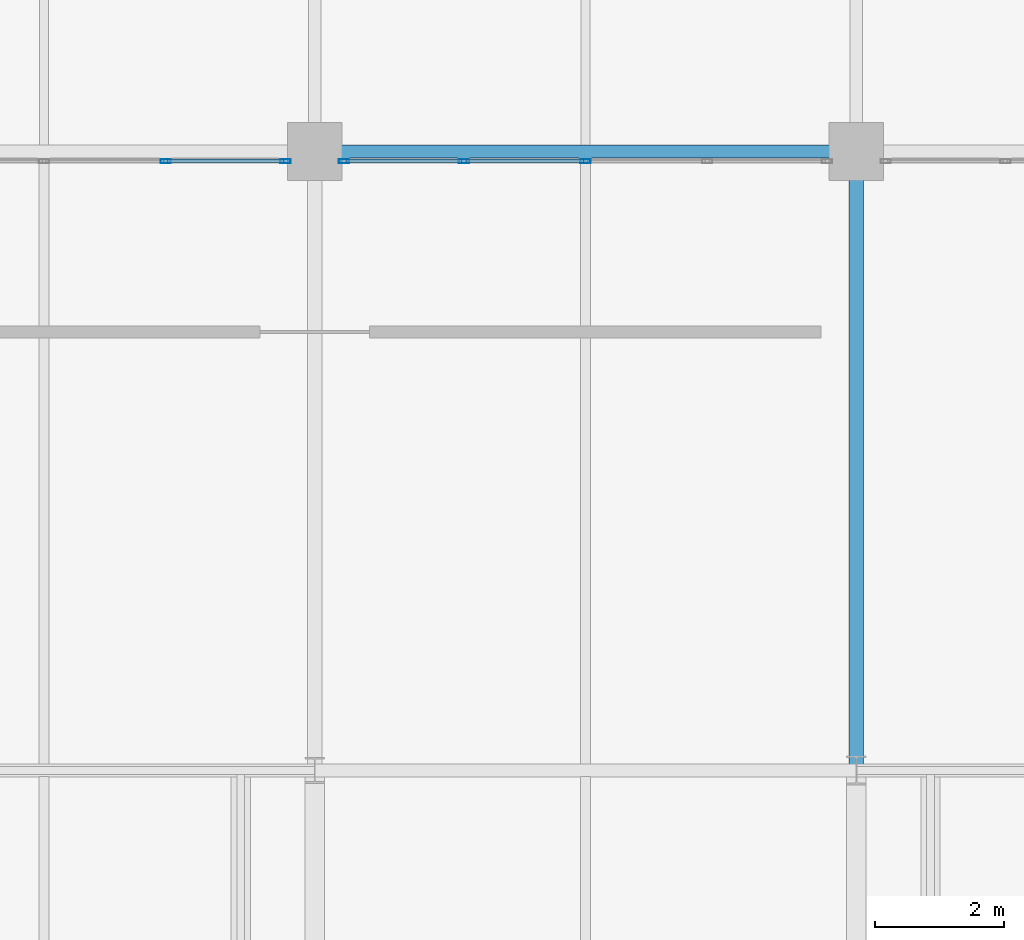
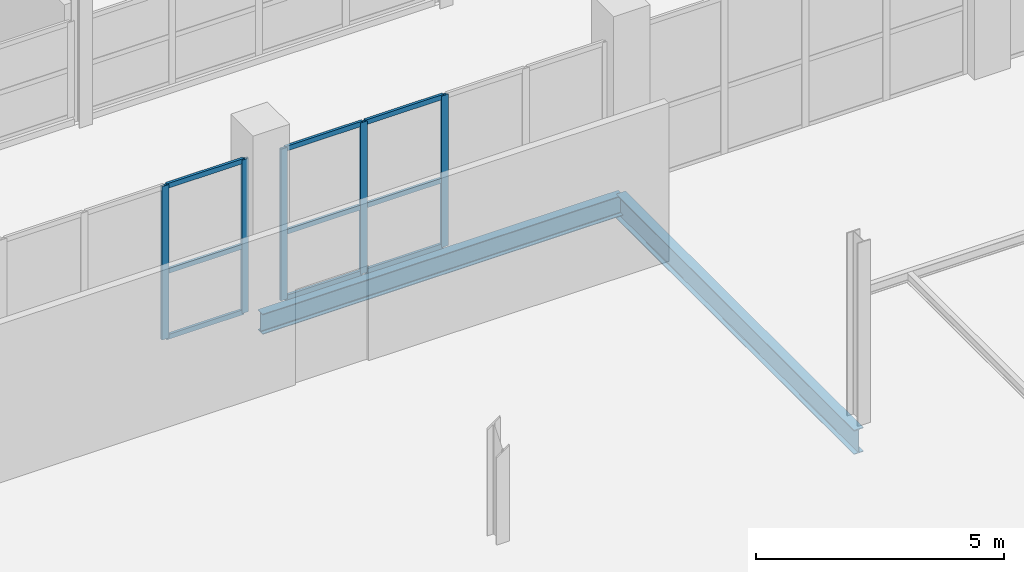
# One storey, part 36 of 103: 14 members, 2 beams, 2 elements without a shape of their own.
"""IFC4 building model written with IfcOpenShell, lengths in metres."""

import ifcopenshell
import ifcopenshell.guid

model = None  # the IFC model being written
_history = None  # IfcOwnerHistory: only IFC2X3 demands one
_inside = {}  # id of a spatial element -> (the spatial element, [elements in it])
_under = {}  # id of a project, library or spatial element -> (it, [spatial elements below it])
_declared = {}  # id of a project -> (the project, [libraries it declares])
_typed = {}  # id of a type object -> (the type object, [elements of that type])
_made_of = {}  # id of a material, layer set ... -> (it, [elements and type objects made of it])


def new_model(schema):
    """Start an empty IFC model of exactly this schema.

    Asked for "IFC4X3", IfcOpenShell would pick the latest addendum, in which some entities
    have other attributes; the version numbers below select the first issue.
    IFC2X3 requires an IfcOwnerHistory on every rooted entity: one is made here for all.
    """
    global model, _history
    if schema == "IFC4X3":
        model = ifcopenshell.file(schema_version=(4, 3, 0, 0))
    else:
        model = ifcopenshell.file(schema=schema)
    _inside.clear()
    _under.clear()
    _declared.clear()
    _typed.clear()
    _made_of.clear()
    _history = None
    if model.schema == "IFC2X3":
        org = make("IfcOrganization", Name="unknown")
        user = make(
            "IfcPersonAndOrganization",
            ThePerson=make("IfcPerson", FamilyName="unknown"),
            TheOrganization=org,
        )
        app = make(
            "IfcApplication",
            ApplicationDeveloper=org,
            Version="unknown",
            ApplicationFullName="unknown",
            ApplicationIdentifier="unknown",
        )
        _history = make(
            "IfcOwnerHistory",
            OwningUser=user,
            OwningApplication=app,
            ChangeAction="ADDED",
            CreationDate=0,
        )
    return model


def make(cls, **values):
    """One entity of the class cls with the attributes given. An attribute that is None is left unset."""
    return model.create_entity(
        cls, **{name: value for name, value in values.items() if value is not None}
    )


def rooted(cls, **values):
    """An entity with a GlobalId (a new one), such as an element, a storey or a relation."""
    return make(cls, GlobalId=ifcopenshell.guid.new(), OwnerHistory=_history, **values)


def si_unit(unit_type, name, prefix=None):
    """IfcSIUnit, for example si_unit("LENGTHUNIT", "METRE", prefix="MILLI")."""
    return make("IfcSIUnit", UnitType=unit_type, Prefix=prefix, Name=name)


def assignment(units):
    """IfcUnitAssignment: the units of a project."""
    return None if units is None else make("IfcUnitAssignment", Units=units)


def point(xyz):
    """IfcCartesianPoint."""
    return None if xyz is None else make("IfcCartesianPoint", Coordinates=xyz)


def direction(xyz):
    """IfcDirection."""
    return None if xyz is None else make("IfcDirection", DirectionRatios=xyz)


def frame(location, z_axis=None, x_axis=None):
    """IfcAxis2Placement3D, a coordinate frame: its origin and axes. An axis left out is left unset."""
    return make(
        "IfcAxis2Placement3D",
        Location=point(location),
        Axis=direction(z_axis),
        RefDirection=direction(x_axis),
    )


def frame_2d(location, x_axis=None):
    """IfcAxis2Placement2D, a coordinate frame in the plane: its origin and x axis."""
    return make(
        "IfcAxis2Placement2D", Location=point(location), RefDirection=direction(x_axis)
    )


def origin():
    """The frame at (0, 0, 0) with its axes left unset."""
    return frame((0.0, 0.0, 0.0))


def origin_2d():
    """The frame at (0, 0) in the plane with its x axis left unset."""
    return frame_2d((0.0, 0.0))


def place(relative_to, where):
    """IfcLocalPlacement: puts the frame where relative to a parent placement (None: the world)."""
    return make(
        "IfcLocalPlacement", PlacementRelTo=relative_to, RelativePlacement=where
    )


def context(
    kind, dimensions, precision=None, world=None, true_north=None, identifier=None
):
    """IfcGeometricRepresentationContext, for example the 3D "Model" context."""
    return make(
        "IfcGeometricRepresentationContext",
        ContextIdentifier=identifier,
        ContextType=kind,
        CoordinateSpaceDimension=dimensions,
        Precision=precision,
        WorldCoordinateSystem=world,
        TrueNorth=true_north,
    )


def subcontext(parent, identifier, kind, view, scale=None):
    """IfcGeometricRepresentationSubContext, for example "Body" below "Model"."""
    return make(
        "IfcGeometricRepresentationSubContext",
        ContextIdentifier=identifier,
        ContextType=kind,
        ParentContext=parent,
        TargetScale=scale,
        TargetView=view,
    )


def project(units=None, contexts=None):
    """IfcProject with its units and contexts."""
    return rooted(
        "IfcProject",
        Name="project",
        RepresentationContexts=contexts,
        UnitsInContext=assignment(units),
    )


def spatial(cls, under=None, at=None, **own):
    """A site, building, storey or space (cls), placed at a placement, below another one or the project."""
    s = rooted(cls, ObjectPlacement=at, **own)
    if under is not None:
        _under.setdefault(under.id(), (under, []))[1].append(s)
    return s


def profile(cls, at=None, kind="AREA", **sizes):
    """A parametric profile (cls). Its sizes go by their IFC names, for example OverallWidth=200.0."""
    return make(cls, ProfileType=kind, Position=at, **sizes)


def hollow_rectangle(**sizes):
    """IfcRectangleHollowProfileDef."""
    return profile("IfcRectangleHollowProfileDef", **sizes)


def i_section(**sizes):
    """IfcIShapeProfileDef."""
    return profile("IfcIShapeProfileDef", **sizes)


def extrude(swept, where, along, depth):
    """IfcExtrudedAreaSolid: the profile swept, set in the frame where, extruded along a direction by depth."""
    return make(
        "IfcExtrudedAreaSolid",
        SweptArea=swept,
        Position=where,
        ExtrudedDirection=direction(along),
        Depth=depth,
    )


def shape(context_of_items, identifier, shape_type, items):
    """IfcShapeRepresentation: the items that make up one representation, for example the "Body"."""
    return make(
        "IfcShapeRepresentation",
        ContextOfItems=context_of_items,
        RepresentationIdentifier=identifier,
        RepresentationType=shape_type,
        Items=items,
    )


def material(Name=None, Category=None):
    """IfcMaterial."""
    return make("IfcMaterial", Name=Name, Category=Category)


def material_profile(
    of_material, cross_section, Name=None, Category=None, Priority=None
):
    """IfcMaterialProfile: a cross section and its material."""
    return make(
        "IfcMaterialProfile",
        Name=Name,
        Material=of_material,
        Profile=cross_section,
        Priority=Priority,
        Category=Category,
    )


def profile_set(profiles, Name=None, composite=None):
    """IfcMaterialProfileSet."""
    return make(
        "IfcMaterialProfileSet",
        Name=Name,
        MaterialProfiles=profiles,
        CompositeProfile=composite,
    )


def made_of(thing, what):
    """Note that an element or type object is made of a material, layer set ...; save() writes the relation."""
    if what is not None:
        _made_of.setdefault(what.id(), (what, []))[1].append(thing)
    return thing


def type_object(cls, material=None, **own):
    """A type object (cls), such as IfcWallType, which elements share."""
    return made_of(rooted(cls, **own), material)


def element(
    cls,
    number,
    at=None,
    inside=None,
    cuts=None,
    type_object=None,
    material=None,
    context=None,
    identifier="Body",
    shape_type=None,
    held_by="IfcProductDefinitionShape",
    body=None,
    shapes=None,
    **own,
):
    """One element of the class cls, such as IfcWall. Its Tag is "e" and its number.

    at: its placement. inside: the storey or other place that contains it. cuts: it is an
    opening in that element (IfcRelVoidsElement). A single representation is given by context,
    identifier, shape_type and body (its items); several are given by shapes. held_by: the class
    of the entity that holds the representations. save() writes the other relations.
    """
    e = rooted(cls, Tag="e%d" % number, ObjectPlacement=at, **own)
    if body is not None:
        shapes = [shape(context, identifier, shape_type, body)]
    if shapes is not None:
        e.Representation = make(held_by, Representations=shapes)
    if inside is not None:
        _inside.setdefault(inside.id(), (inside, []))[1].append(e)
    if cuts is not None:
        rooted(
            "IfcRelVoidsElement", RelatingBuildingElement=cuts, RelatedOpeningElement=e
        )
    if type_object is not None:
        _typed.setdefault(type_object.id(), (type_object, []))[1].append(e)
    return made_of(e, material)


def aggregate(whole, parts):
    """IfcRelAggregates: a whole, such as a stair, and the parts it consists of."""
    return rooted("IfcRelAggregates", RelatingObject=whole, RelatedObjects=parts)


def save(model, path):
    """Write the relations noted so far, then the file.

    IfcRelAggregates (storeys below a building ...), IfcRelContainedInSpatialStructure (elements
    in a storey), IfcRelDefinesByType, IfcRelAssociatesMaterial and IfcRelDeclares: one each for
    every whole, place, type object, material and project.
    """
    for whole, parts in _under.values():
        aggregate(whole, parts)
    for where, things in _inside.values():
        rooted(
            "IfcRelContainedInSpatialStructure",
            RelatedElements=things,
            RelatingStructure=where,
        )
    for kind, things in _typed.values():
        rooted("IfcRelDefinesByType", RelatedObjects=things, RelatingType=kind)
    for what, things in _made_of.values():
        rooted("IfcRelAssociatesMaterial", RelatedObjects=things, RelatingMaterial=what)
    for by, libraries in _declared.values():
        rooted("IfcRelDeclares", RelatingContext=by, RelatedDefinitions=libraries)
    model.write(path)


model = new_model("IFC4")

# Units and contexts
model_context = context("Model", 3, precision=1e-05, world=origin(), true_north=direction((0.0, 1.0)))
body_context = subcontext(model_context, "Body", "Model", "MODEL_VIEW")
ifc_project = project(units=[si_unit("LENGTHUNIT", "METRE"), si_unit("AREAUNIT", "SQUARE_METRE"), si_unit("VOLUMEUNIT", "CUBIC_METRE"), si_unit("PLANEANGLEUNIT", "RADIAN"), si_unit("MASSUNIT", "GRAM", prefix="KILO")], contexts=[model_context])

# Site, building, storey
site_placement = place(None, origin())
site = spatial("IfcSite", under=ifc_project, at=site_placement, CompositionType="ELEMENT")
building_placement = place(site_placement, origin())
building = spatial("IfcBuilding", under=site, at=building_placement, Name="Veltarok Museum of Natural Sciences", CompositionType="ELEMENT")
storey_placement = place(building_placement, frame((0.0, 0.0, 21.89990234375)))
storey = spatial("IfcBuildingStorey", under=building, at=storey_placement, Name="L04", CompositionType="ELEMENT", Elevation=21.89990234375)

# Curtain wall, members
ifc_material_1 = material(Name="Low-iron triple insulated glass", Category="glass")
curtain_wall_type_1 = type_object("IfcCurtainWallType", Name="Curtain Wall System CW-V1CN4-L04-2-755x378 (CW-V1CN4 L04 755x378cm)", PredefinedType="NOTDEFINED", material=ifc_material_1)
curtain_wall_1_placement = place(storey_placement, origin())
curtain_wall_1 = element("IfcCurtainWall", 1, at=curtain_wall_1_placement, inside=storey, type_object=curtain_wall_type_1, Name="Curtain Wall CW-V1CN4-L04-2-755x378 CW-0166", PredefinedType="NOTDEFINED")
ifc_material_2 = material(Name="Thermally broken anodised aluminium", Category="aluminium")
ifc_material_profile_1 = material_profile(ifc_material_2, hollow_rectangle(XDim=0.06005859375, YDim=0.1201171875, WallThickness=0.0048828125, at=origin_2d()), Name="CW TRANSOM 60x120x5")
ifc_profile_set_1 = profile_set([ifc_material_profile_1], Name="Thermally broken anodised aluminium")
member_type_1 = type_object("IfcMemberType", Name="Curtain Wall Horizontal Transom 60x120x5", PredefinedType="USERDEFINED", material=ifc_profile_set_1)
member_1_placement = place(storey_placement, frame((73.114990234375, 19.050048828125, 0.028076171875), z_axis=(-1.0, 0.0, 0.0), x_axis=(0.0, -1.0, 0.0)))
member_1 = element("IfcMember", 2, at=member_1_placement, type_object=member_type_1, Name="CW-V1CN4-L04-2-755x378 transom 1.1", ObjectType="TRANSOM", PredefinedType="USERDEFINED", context=body_context, shape_type="SweptSolid", body=[
    extrude(hollow_rectangle(XDim=0.06005859375, YDim=0.1201171875, WallThickness=0.0048828125, at=origin_2d()), origin(), (0.0, 0.0, 1.0), 1.797607421875),
])
member_2_placement = place(storey_placement, frame((73.114990234375, 19.050048828125, 1.648193359375), z_axis=(-1.0, 0.0, 0.0), x_axis=(0.0, -1.0, 0.0)))
member_2 = element("IfcMember", 3, at=member_2_placement, type_object=member_type_1, Name="CW-V1CN4-L04-2-755x378 transom 1.2", ObjectType="TRANSOM", PredefinedType="USERDEFINED", context=body_context, shape_type="SweptSolid", body=[
    extrude(hollow_rectangle(XDim=0.06005859375, YDim=0.1201171875, WallThickness=0.0048828125, at=origin_2d()), origin(), (0.0, 0.0, 1.0), 1.797607421875),
])
member_3_placement = place(storey_placement, frame((73.114990234375, 19.050048828125, 3.75), z_axis=(-1.0, 0.0, 0.0), x_axis=(0.0, -1.0, 0.0)))
member_3 = element("IfcMember", 4, at=member_3_placement, type_object=member_type_1, Name="CW-V1CN4-L04-2-755x378 transom 1.3", ObjectType="TRANSOM", PredefinedType="USERDEFINED", context=body_context, shape_type="SweptSolid", body=[
    extrude(hollow_rectangle(XDim=0.06005859375, YDim=0.1201171875, WallThickness=0.0048828125, at=origin_2d()), origin(), (0.0, 0.0, 1.0), 1.797607421875),
])

curtain_wall_type_2 = type_object("IfcCurtainWallType", Name="Curtain Wall System CW-V1CN4-L04-3-755x373 (CW-V1CN4 L04 755x373cm)", PredefinedType="NOTDEFINED", material=ifc_material_1)
curtain_wall_2_placement = place(storey_placement, origin())
curtain_wall_2 = element("IfcCurtainWall", 5, at=curtain_wall_2_placement, inside=storey, type_object=curtain_wall_type_2, Name="Curtain Wall CW-V1CN4-L04-3-755x373 CW-0167", PredefinedType="NOTDEFINED")
member_4_placement = place(storey_placement, frame((77.77001953125, 19.050048828125, 0.028076171875), z_axis=(-1.0, 0.0, 0.0), x_axis=(0.0, -1.0, 0.0)))
member_4 = element("IfcMember", 6, at=member_4_placement, type_object=member_type_1, Name="CW-V1CN4-L04-3-755x373 transom 3.1", ObjectType="TRANSOM", PredefinedType="USERDEFINED", context=body_context, shape_type="SweptSolid", body=[
    extrude(hollow_rectangle(XDim=0.06005859375, YDim=0.1201171875, WallThickness=0.0048828125, at=origin_2d()), origin(), (0.0, 0.0, 1.0), 1.82763671875),
])
member_5_placement = place(storey_placement, frame((77.77001953125, 19.050048828125, 1.648193359375), z_axis=(-1.0, 0.0, 0.0), x_axis=(0.0, -1.0, 0.0)))
member_5 = element("IfcMember", 7, at=member_5_placement, type_object=member_type_1, Name="CW-V1CN4-L04-3-755x373 transom 3.2", ObjectType="TRANSOM", PredefinedType="USERDEFINED", context=body_context, shape_type="SweptSolid", body=[
    extrude(hollow_rectangle(XDim=0.06005859375, YDim=0.1201171875, WallThickness=0.0048828125, at=origin_2d()), origin(), (0.0, 0.0, 1.0), 1.82763671875),
])
member_6_placement = place(storey_placement, frame((77.77001953125, 19.050048828125, 3.7001953125), z_axis=(-1.0, 0.0, 0.0), x_axis=(0.0, -1.0, 0.0)))
member_6 = element("IfcMember", 8, at=member_6_placement, type_object=member_type_1, Name="CW-V1CN4-L04-3-755x373 transom 3.3", ObjectType="TRANSOM", PredefinedType="USERDEFINED", context=body_context, shape_type="SweptSolid", body=[
    extrude(hollow_rectangle(XDim=0.06005859375, YDim=0.1201171875, WallThickness=0.0048828125, at=origin_2d()), origin(), (0.0, 0.0, 1.0), 1.82763671875),
])
member_7_placement = place(storey_placement, frame((75.882568359375, 19.050048828125, 0.028076171875), z_axis=(-1.0, 0.0, 0.0), x_axis=(0.0, -1.0, 0.0)))
member_7 = element("IfcMember", 9, at=member_7_placement, type_object=member_type_1, Name="CW-V1CN4-L04-3-755x373 transom 4.1", ObjectType="TRANSOM", PredefinedType="USERDEFINED", context=body_context, shape_type="SweptSolid", body=[
    extrude(hollow_rectangle(XDim=0.06005859375, YDim=0.1201171875, WallThickness=0.0048828125, at=origin_2d()), origin(), (0.0, 0.0, 1.0), 1.797607421875),
])
member_8_placement = place(storey_placement, frame((75.882568359375, 19.050048828125, 1.648193359375), z_axis=(-1.0, 0.0, 0.0), x_axis=(0.0, -1.0, 0.0)))
member_8 = element("IfcMember", 10, at=member_8_placement, type_object=member_type_1, Name="CW-V1CN4-L04-3-755x373 transom 4.2", ObjectType="TRANSOM", PredefinedType="USERDEFINED", context=body_context, shape_type="SweptSolid", body=[
    extrude(hollow_rectangle(XDim=0.06005859375, YDim=0.1201171875, WallThickness=0.0048828125, at=origin_2d()), origin(), (0.0, 0.0, 1.0), 1.797607421875),
])
member_9_placement = place(storey_placement, frame((75.882568359375, 19.050048828125, 3.7001953125), z_axis=(-1.0, 0.0, 0.0), x_axis=(0.0, -1.0, 0.0)))
member_9 = element("IfcMember", 11, at=member_9_placement, type_object=member_type_1, Name="CW-V1CN4-L04-3-755x373 transom 4.3", ObjectType="TRANSOM", PredefinedType="USERDEFINED", context=body_context, shape_type="SweptSolid", body=[
    extrude(hollow_rectangle(XDim=0.06005859375, YDim=0.1201171875, WallThickness=0.0048828125, at=origin_2d()), origin(), (0.0, 0.0, 1.0), 1.797607421875),
])

# Member
ifc_material_profile_2 = material_profile(ifc_material_2, hollow_rectangle(XDim=0.06005859375, YDim=0.159912109375, WallThickness=0.0048828125, at=origin_2d()), Name="CW MULLION 60x160x5")
ifc_profile_set_2 = profile_set([ifc_material_profile_2], Name="Thermally broken anodised aluminium")
member_type_2 = type_object("IfcMemberType", Name="Curtain Wall Vertical Mullion 60x160x5", PredefinedType="MULLION", material=ifc_profile_set_2)
member_10_placement = place(storey_placement, frame((73.14501953125, 19.050048828125, -0.001953125), z_axis=(0.0, 0.0, 1.0), x_axis=(0.0, -1.0, 0.0)))
member_10 = element("IfcMember", 12, at=member_10_placement, type_object=member_type_2, Name="CW-V1CN4-L04-2-755x378 mullion 1", PredefinedType="MULLION", context=body_context, shape_type="SweptSolid", body=[
    extrude(hollow_rectangle(XDim=0.06005859375, YDim=0.159912109375, WallThickness=0.0048828125, at=origin_2d()), origin(), (0.0, 0.0, 1.0), 3.781982421875),
])

member_11_placement = place(storey_placement, frame((71.28759765625, 19.050048828125, -0.001953125), z_axis=(0.0, 0.0, 1.0), x_axis=(0.0, -1.0, 0.0)))
member_11 = element("IfcMember", 13, at=member_11_placement, type_object=member_type_2, Name="CW-V1CN4-L04-2-755x378 mullion 2", PredefinedType="MULLION", context=body_context, shape_type="SweptSolid", body=[
    extrude(hollow_rectangle(XDim=0.06005859375, YDim=0.159912109375, WallThickness=0.0048828125, at=origin_2d()), origin(), (0.0, 0.0, 1.0), 3.781982421875),
])

aggregate(curtain_wall_1, [member_10, member_11, member_1, member_2, member_3])

member_12_placement = place(storey_placement, frame((77.800048828125, 19.050048828125, -0.001953125), z_axis=(0.0, 0.0, 1.0), x_axis=(0.0, -1.0, 0.0)))
member_12 = element("IfcMember", 14, at=member_12_placement, type_object=member_type_2, Name="CW-V1CN4-L04-3-755x373 mullion 3", PredefinedType="MULLION", context=body_context, shape_type="SweptSolid", body=[
    extrude(hollow_rectangle(XDim=0.06005859375, YDim=0.159912109375, WallThickness=0.0048828125, at=origin_2d()), origin(), (0.0, 0.0, 1.0), 3.73193359375),
])

member_13_placement = place(storey_placement, frame((75.91259765625, 19.050048828125, -0.001953125), z_axis=(0.0, 0.0, 1.0), x_axis=(0.0, -1.0, 0.0)))
member_13 = element("IfcMember", 15, at=member_13_placement, type_object=member_type_2, Name="CW-V1CN4-L04-3-755x373 mullion 4", PredefinedType="MULLION", context=body_context, shape_type="SweptSolid", body=[
    extrude(hollow_rectangle(XDim=0.06005859375, YDim=0.159912109375, WallThickness=0.0048828125, at=origin_2d()), origin(), (0.0, 0.0, 1.0), 3.73193359375),
])

member_14_placement = place(storey_placement, frame((74.054931640625, 19.050048828125, -0.001953125), z_axis=(0.0, 0.0, 1.0), x_axis=(0.0, -1.0, 0.0)))
member_14 = element("IfcMember", 16, at=member_14_placement, type_object=member_type_2, Name="CW-V1CN4-L04-3-755x373 mullion 5", PredefinedType="MULLION", context=body_context, shape_type="SweptSolid", body=[
    extrude(hollow_rectangle(XDim=0.06005859375, YDim=0.159912109375, WallThickness=0.0048828125, at=origin_2d()), origin(), (0.0, 0.0, 1.0), 3.73193359375),
])

aggregate(curtain_wall_2, [member_12, member_13, member_14, member_4, member_5, member_6, member_7, member_8, member_9])

# Beams
ifc_material_3 = material(Name="Steel S355J2", Category="steel")
ifc_material_profile_3 = material_profile(ifc_material_3, i_section(OverallWidth=0.219970703125, OverallDepth=0.60009765625, WebThickness=0.011962890625, FlangeThickness=0.01904296875, FilletRadius=0.02392578125, at=origin_2d()), Name="IPE 600")
ifc_profile_set_3 = profile_set([ifc_material_profile_3], Name="Steel S355J2")
beam_type_1 = type_object("IfcBeamType", Name="Primary Museum Girder IPE 600", PredefinedType="BEAM", material=ifc_profile_set_3)
beam_1_placement = place(storey_placement, frame((82.0, 9.60009765625, -0.5498046875), z_axis=(0.0, 1.0, 0.0), x_axis=(-1.0, 0.0, 0.0)))
element("IfcBeam", 17, at=beam_1_placement, inside=storey, type_object=beam_type_1, Name="Beam BM-G02 L04 10/B-C", PredefinedType="BEAM", context=body_context, shape_type="SweptSolid", body=[
    extrude(i_section(OverallWidth=0.219970703125, OverallDepth=0.60009765625, WebThickness=0.011962890625, FlangeThickness=0.01904296875, FilletRadius=0.02392578125, at=origin_2d()), origin(), (0.0, 0.0, 1.0), 9.599853515625),
])
ifc_material_profile_4 = material_profile(ifc_material_3, i_section(OverallWidth=0.199951171875, OverallDepth=0.5, WebThickness=0.01025390625, FlangeThickness=0.01611328125, FilletRadius=0.02099609375, at=origin_2d()), Name="IPE 500")
ifc_profile_set_4 = profile_set([ifc_material_profile_4], Name="Steel S355J2")
beam_type_2 = type_object("IfcBeamType", Name="Standard Gallery Girder IPE 500", PredefinedType="BEAM", material=ifc_profile_set_4)
beam_2_placement = place(storey_placement, frame((73.60009765625, 19.199951171875, -0.5), z_axis=(1.0, 0.0, 0.0), x_axis=(0.0, 1.0, 0.0)))
element("IfcBeam", 18, at=beam_2_placement, inside=storey, type_object=beam_type_2, Name="Beam BM-G04 L04 9-10/C", PredefinedType="BEAM", context=body_context, shape_type="SweptSolid", body=[
    extrude(i_section(OverallWidth=0.199951171875, OverallDepth=0.5, WebThickness=0.01025390625, FlangeThickness=0.01611328125, FilletRadius=0.02099609375, at=origin_2d()), origin(), (0.0, 0.0, 1.0), 8.39990234375),
])

save(model, "model.ifc")
